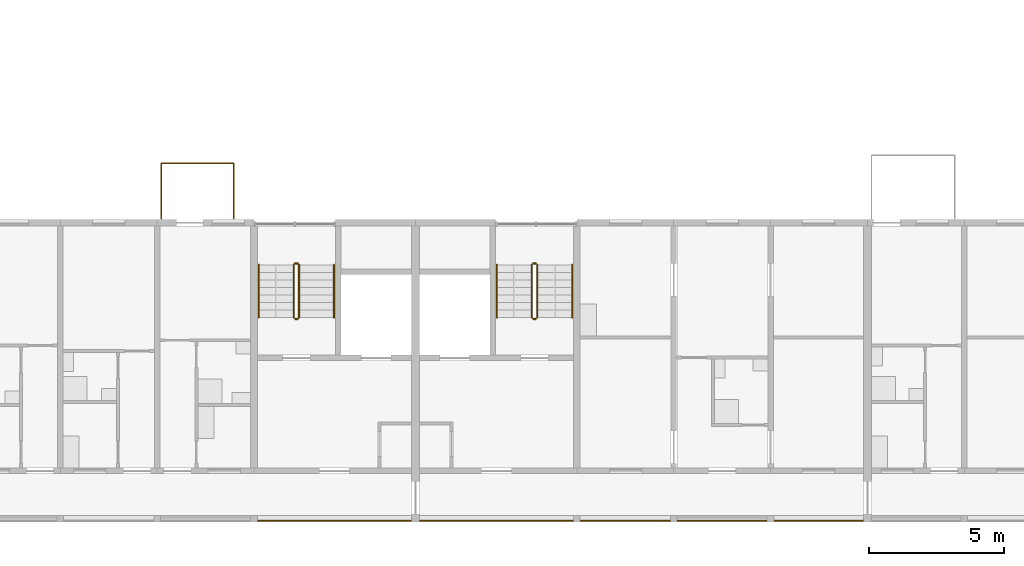
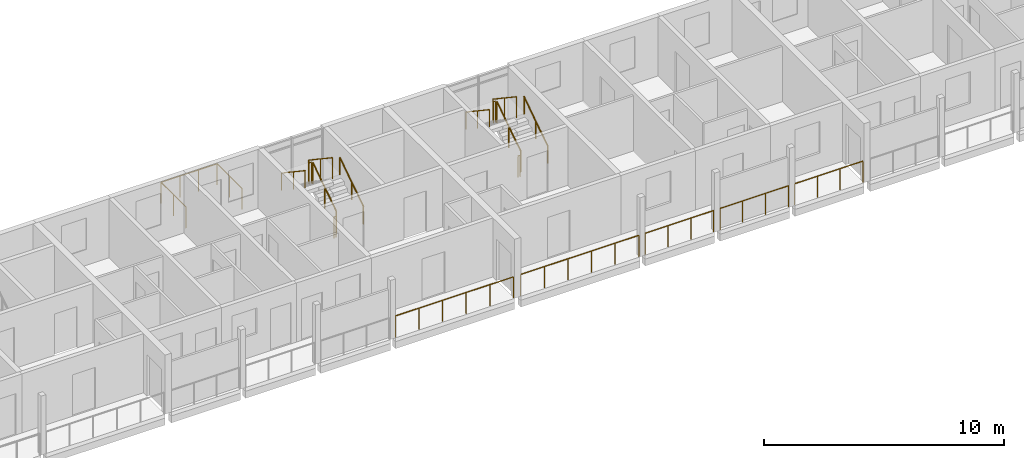
# One storey, part 73 of 94: 18 railings.
"""IFC4 building model written with IfcOpenShell, lengths in metres."""

from ifc_helpers import new_model, si_unit, direction, frame, origin, origin_2d, place, context, subcontext, project, spatial, circle, extrude, material, type_object, element, save


model = new_model("IFC4")

# Units and contexts
model_context = context("Model", 3, precision=1e-05, world=origin(), true_north=direction((0.0, 1.0)))
body_context = subcontext(model_context, "Body", "Model", "MODEL_VIEW")
ifc_project = project(units=[si_unit("LENGTHUNIT", "METRE"), si_unit("AREAUNIT", "SQUARE_METRE"), si_unit("VOLUMEUNIT", "CUBIC_METRE"), si_unit("PLANEANGLEUNIT", "RADIAN"), si_unit("MASSUNIT", "GRAM", prefix="KILO")], contexts=[model_context])

# Site, building, storey
site_placement = place(None, origin())
site = spatial("IfcSite", under=ifc_project, at=site_placement, CompositionType="ELEMENT")
building_placement = place(site_placement, origin())
building = spatial("IfcBuilding", under=site, at=building_placement, Name="Ridgestep Commons", CompositionType="ELEMENT")
storey_placement = place(building_placement, frame((0.0, 0.0, 21.0)))
storey = spatial("IfcBuildingStorey", under=building, at=storey_placement, Name="L07", CompositionType="ELEMENT", Elevation=21.0)

# Railings
ifc_material_1 = material(Name="Structural steel S355JR", Category="steel")
railing_type_1 = type_object("IfcRailingType", Name="Guard 1100", PredefinedType="GUARDRAIL", material=ifc_material_1)
railing_1_placement = place(storey_placement, frame((39.74609375, 11.800048828125, 0.0)))
element("IfcRailing", 1, at=railing_1_placement, inside=storey, type_object=railing_type_1, Name="Gallery guard A 07.8", PredefinedType="GUARDRAIL", context=body_context, shape_type="SweptSolid", body=[
    extrude(circle(Radius=0.02392578125, at=origin_2d()), frame((0.0, 0.0, 1.076171875), z_axis=(1.0, 0.0, 0.0), x_axis=(0.0, 1.0, 0.0)), (0.0, 0.0, 1.0), 5.682861328125),
    extrude(circle(Radius=0.02099609375, at=origin_2d()), origin(), (0.0, 0.0, 1.0), 1.052001953125),
    extrude(circle(Radius=0.02099609375, at=origin_2d()), frame((1.136474609375, 0.0, 0.0)), (0.0, 0.0, 1.0), 1.052001953125),
    extrude(circle(Radius=0.02099609375, at=origin_2d()), frame((2.273193359375, 0.0, 0.0)), (0.0, 0.0, 1.0), 1.052001953125),
    extrude(circle(Radius=0.02099609375, at=origin_2d()), frame((3.40966796875, 0.0, 0.0)), (0.0, 0.0, 1.0), 1.052001953125),
    extrude(circle(Radius=0.02099609375, at=origin_2d()), frame((4.54638671875, 0.0, 0.0)), (0.0, 0.0, 1.0), 1.052001953125),
    extrude(circle(Radius=0.02099609375, at=origin_2d()), frame((5.682861328125, 0.0, 0.0)), (0.0, 0.0, 1.0), 1.052001953125),
])
railing_2_placement = place(storey_placement, frame((45.77099609375, 11.800048828125, 0.0)))
element("IfcRailing", 2, at=railing_2_placement, inside=storey, type_object=railing_type_1, Name="Gallery guard A 07.9", PredefinedType="GUARDRAIL", context=body_context, shape_type="SweptSolid", body=[
    extrude(circle(Radius=0.02392578125, at=origin_2d()), frame((0.0, 0.0, 1.076171875), z_axis=(1.0, 0.0, 0.0), x_axis=(0.0, 1.0, 0.0)), (0.0, 0.0, 1.0), 5.68310546875),
    extrude(circle(Radius=0.02099609375, at=origin_2d()), origin(), (0.0, 0.0, 1.0), 1.052001953125),
    extrude(circle(Radius=0.02099609375, at=origin_2d()), frame((1.13671875, 0.0, 0.0)), (0.0, 0.0, 1.0), 1.052001953125),
    extrude(circle(Radius=0.02099609375, at=origin_2d()), frame((2.273193359375, 0.0, 0.0)), (0.0, 0.0, 1.0), 1.052001953125),
    extrude(circle(Radius=0.02099609375, at=origin_2d()), frame((3.409912109375, 0.0, 0.0)), (0.0, 0.0, 1.0), 1.052001953125),
    extrude(circle(Radius=0.02099609375, at=origin_2d()), frame((4.54638671875, 0.0, 0.0)), (0.0, 0.0, 1.0), 1.052001953125),
    extrude(circle(Radius=0.02099609375, at=origin_2d()), frame((5.68310546875, 0.0, 0.0)), (0.0, 0.0, 1.0), 1.052001953125),
])
railing_3_placement = place(storey_placement, frame((51.74609375, 11.800048828125, 0.0)))
element("IfcRailing", 3, at=railing_3_placement, inside=storey, type_object=railing_type_1, Name="Gallery guard A 07.10", PredefinedType="GUARDRAIL", context=body_context, shape_type="SweptSolid", body=[
    extrude(circle(Radius=0.02392578125, at=origin_2d()), frame((0.0, 0.0, 1.076171875), z_axis=(1.0, 0.0, 0.0), x_axis=(0.0, 1.0, 0.0)), (0.0, 0.0, 1.0), 3.307861328125),
    extrude(circle(Radius=0.02099609375, at=origin_2d()), origin(), (0.0, 0.0, 1.0), 1.052001953125),
    extrude(circle(Radius=0.02099609375, at=origin_2d()), frame((1.1025390625, 0.0, 0.0)), (0.0, 0.0, 1.0), 1.052001953125),
    extrude(circle(Radius=0.02099609375, at=origin_2d()), frame((2.205322265625, 0.0, 0.0)), (0.0, 0.0, 1.0), 1.052001953125),
    extrude(circle(Radius=0.02099609375, at=origin_2d()), frame((3.307861328125, 0.0, 0.0)), (0.0, 0.0, 1.0), 1.052001953125),
])
railing_4_placement = place(storey_placement, frame((55.345947265625, 11.800048828125, 0.0)))
element("IfcRailing", 4, at=railing_4_placement, inside=storey, type_object=railing_type_1, Name="Gallery guard A 07.11", PredefinedType="GUARDRAIL", context=body_context, shape_type="SweptSolid", body=[
    extrude(circle(Radius=0.02392578125, at=origin_2d()), frame((0.0, 0.0, 1.076171875), z_axis=(1.0, 0.0, 0.0), x_axis=(0.0, 1.0, 0.0)), (0.0, 0.0, 1.0), 3.30810546875),
    extrude(circle(Radius=0.02099609375, at=origin_2d()), origin(), (0.0, 0.0, 1.0), 1.052001953125),
    extrude(circle(Radius=0.02099609375, at=origin_2d()), frame((1.102783203125, 0.0, 0.0)), (0.0, 0.0, 1.0), 1.052001953125),
    extrude(circle(Radius=0.02099609375, at=origin_2d()), frame((2.205322265625, 0.0, 0.0)), (0.0, 0.0, 1.0), 1.052001953125),
    extrude(circle(Radius=0.02099609375, at=origin_2d()), frame((3.30810546875, 0.0, 0.0)), (0.0, 0.0, 1.0), 1.052001953125),
])
railing_5_placement = place(storey_placement, frame((58.946044921875, 11.800048828125, 0.0)))
element("IfcRailing", 5, at=railing_5_placement, inside=storey, type_object=railing_type_1, Name="Gallery guard A 07.12", PredefinedType="GUARDRAIL", context=body_context, shape_type="SweptSolid", body=[
    extrude(circle(Radius=0.02392578125, at=origin_2d()), frame((0.0, 0.0, 1.076171875), z_axis=(1.0, 0.0, 0.0), x_axis=(0.0, 1.0, 0.0)), (0.0, 0.0, 1.0), 3.282958984375),
    extrude(circle(Radius=0.02099609375, at=origin_2d()), origin(), (0.0, 0.0, 1.0), 1.052001953125),
    extrude(circle(Radius=0.02099609375, at=origin_2d()), frame((1.09423828125, 0.0, 0.0)), (0.0, 0.0, 1.0), 1.052001953125),
    extrude(circle(Radius=0.02099609375, at=origin_2d()), frame((2.188720703125, 0.0, 0.0)), (0.0, 0.0, 1.0), 1.052001953125),
    extrude(circle(Radius=0.02099609375, at=origin_2d()), frame((3.282958984375, 0.0, 0.0)), (0.0, 0.0, 1.0), 1.052001953125),
])
ifc_material_2 = material(Name="Structural steel S355JR", Category="steel")
railing_type_2 = type_object("IfcRailingType", Name="Stair guard 1100", PredefinedType="GUARDRAIL", material=ifc_material_2)
railing_6_placement = place(storey_placement, frame((41.27490234375, 19.35009765625, 0.1875)))
element("IfcRailing", 6, at=railing_6_placement, inside=storey, type_object=railing_type_2, Name="L07 A2C stair guard 1", PredefinedType="GUARDRAIL", context=body_context, shape_type="SweptSolid", body=[
    extrude(circle(Radius=0.02392578125, at=origin_2d()), frame((0.0, 0.0, 1.076171875), z_axis=(0.0, 0.830902050051, 0.556418712142), x_axis=(-1.0, 0.0, 0.0)), (0.0, 0.0, 1.0), 2.35888671875),
    extrude(circle(Radius=0.02099609375, at=origin_2d()), origin(), (0.0, 0.0, 1.0), 1.052001953125),
    extrude(circle(Radius=0.02099609375, at=origin_2d()), frame((0.0, 0.97998046875, 0.65625)), (0.0, 0.0, 1.0), 1.052001953125),
    extrude(circle(Radius=0.02099609375, at=origin_2d()), frame((0.0, 1.9599609375, 1.3125)), (0.0, 0.0, 1.0), 1.052001953125),
])
railing_7_placement = place(storey_placement, frame((41.22509765625, 21.360107421875, 1.5)))
element("IfcRailing", 7, at=railing_7_placement, inside=storey, type_object=railing_type_2, Name="L07 A2C stair guard 2", PredefinedType="GUARDRAIL", context=body_context, shape_type="SweptSolid", body=[
    extrude(circle(Radius=0.02392578125, at=origin_2d()), frame((0.0, 0.0, 1.076171875), z_axis=(-1.0, 0.0, 0.0), x_axis=(0.0, -1.0, 0.0)), (0.0, 0.0, 1.0), 0.10009765625),
    extrude(circle(Radius=0.02099609375, at=origin_2d()), origin(), (0.0, 0.0, 1.0), 1.052001953125),
    extrude(circle(Radius=0.02099609375, at=origin_2d()), frame((-0.10009765625, 0.0, 0.0)), (0.0, 0.0, 1.0), 1.052001953125),
])
railing_8_placement = place(storey_placement, frame((41.074951171875, 21.31005859375, 1.6875)))
element("IfcRailing", 8, at=railing_8_placement, inside=storey, type_object=railing_type_2, Name="L07 A2C stair guard 3", PredefinedType="GUARDRAIL", context=body_context, shape_type="SweptSolid", body=[
    extrude(circle(Radius=0.02392578125, at=origin_2d()), frame((0.0, 0.0, 1.076171875), z_axis=(0.0, -0.830902050051, 0.556418712142), x_axis=(1.0, 0.0, 0.0)), (0.0, 0.0, 1.0), 2.35888671875),
    extrude(circle(Radius=0.02099609375, at=origin_2d()), origin(), (0.0, 0.0, 1.0), 1.052001953125),
    extrude(circle(Radius=0.02099609375, at=origin_2d()), frame((0.0, -0.97998046875, 0.65625)), (0.0, 0.0, 1.0), 1.052001953125),
    extrude(circle(Radius=0.02099609375, at=origin_2d()), frame((0.0, -1.9599609375, 1.3125)), (0.0, 0.0, 1.0), 1.052001953125),
])
railing_9_placement = place(storey_placement, frame((41.22509765625, 19.300048828125, 0.0)))
element("IfcRailing", 9, at=railing_9_placement, inside=storey, type_object=railing_type_2, Name="L07 A2C stair guard 4", PredefinedType="GUARDRAIL", context=body_context, shape_type="SweptSolid", body=[
    extrude(circle(Radius=0.02392578125, at=origin_2d()), frame((0.0, 0.0, 1.076171875), z_axis=(-1.0, 0.0, 0.0), x_axis=(0.0, -1.0, 0.0)), (0.0, 0.0, 1.0), 0.10009765625),
    extrude(circle(Radius=0.02099609375, at=origin_2d()), origin(), (0.0, 0.0, 1.0), 1.052001953125),
    extrude(circle(Radius=0.02099609375, at=origin_2d()), frame((-0.10009765625, 0.0, 0.0)), (0.0, 0.0, 1.0), 1.052001953125),
])
railing_10_placement = place(storey_placement, frame((50.125, 19.35009765625, 0.1875)))
element("IfcRailing", 10, at=railing_10_placement, inside=storey, type_object=railing_type_2, Name="L07 A3C stair guard 1", PredefinedType="GUARDRAIL", context=body_context, shape_type="SweptSolid", body=[
    extrude(circle(Radius=0.02392578125, at=origin_2d()), frame((0.0, 0.0, 1.076171875), z_axis=(0.0, 0.830902050051, 0.556418712142), x_axis=(-1.0, 0.0, 0.0)), (0.0, 0.0, 1.0), 2.35888671875),
    extrude(circle(Radius=0.02099609375, at=origin_2d()), origin(), (0.0, 0.0, 1.0), 1.052001953125),
    extrude(circle(Radius=0.02099609375, at=origin_2d()), frame((0.0, 0.97998046875, 0.65625)), (0.0, 0.0, 1.0), 1.052001953125),
    extrude(circle(Radius=0.02099609375, at=origin_2d()), frame((0.0, 1.9599609375, 1.3125)), (0.0, 0.0, 1.0), 1.052001953125),
])
railing_11_placement = place(storey_placement, frame((50.074951171875, 21.360107421875, 1.5)))
element("IfcRailing", 11, at=railing_11_placement, inside=storey, type_object=railing_type_2, Name="L07 A3C stair guard 2", PredefinedType="GUARDRAIL", context=body_context, shape_type="SweptSolid", body=[
    extrude(circle(Radius=0.02392578125, at=origin_2d()), frame((0.0, 0.0, 1.076171875), z_axis=(-1.0, 0.0, 0.0), x_axis=(0.0, -1.0, 0.0)), (0.0, 0.0, 1.0), 0.099853515625),
    extrude(circle(Radius=0.02099609375, at=origin_2d()), origin(), (0.0, 0.0, 1.0), 1.052001953125),
    extrude(circle(Radius=0.02099609375, at=origin_2d()), frame((-0.099853515625, 0.0, 0.0)), (0.0, 0.0, 1.0), 1.052001953125),
])
railing_12_placement = place(storey_placement, frame((49.925048828125, 21.31005859375, 1.6875)))
element("IfcRailing", 12, at=railing_12_placement, inside=storey, type_object=railing_type_2, Name="L07 A3C stair guard 3", PredefinedType="GUARDRAIL", context=body_context, shape_type="SweptSolid", body=[
    extrude(circle(Radius=0.02392578125, at=origin_2d()), frame((0.0, 0.0, 1.076171875), z_axis=(0.0, -0.830902050051, 0.556418712142), x_axis=(1.0, 0.0, 0.0)), (0.0, 0.0, 1.0), 2.35888671875),
    extrude(circle(Radius=0.02099609375, at=origin_2d()), origin(), (0.0, 0.0, 1.0), 1.052001953125),
    extrude(circle(Radius=0.02099609375, at=origin_2d()), frame((0.0, -0.97998046875, 0.65625)), (0.0, 0.0, 1.0), 1.052001953125),
    extrude(circle(Radius=0.02099609375, at=origin_2d()), frame((0.0, -1.9599609375, 1.3125)), (0.0, 0.0, 1.0), 1.052001953125),
])
railing_13_placement = place(storey_placement, frame((50.074951171875, 19.300048828125, 0.0)))
element("IfcRailing", 13, at=railing_13_placement, inside=storey, type_object=railing_type_2, Name="L07 A3C stair guard 4", PredefinedType="GUARDRAIL", context=body_context, shape_type="SweptSolid", body=[
    extrude(circle(Radius=0.02392578125, at=origin_2d()), frame((0.0, 0.0, 1.076171875), z_axis=(-1.0, 0.0, 0.0), x_axis=(0.0, -1.0, 0.0)), (0.0, 0.0, 1.0), 0.099853515625),
    extrude(circle(Radius=0.02099609375, at=origin_2d()), origin(), (0.0, 0.0, 1.0), 1.052001953125),
    extrude(circle(Radius=0.02099609375, at=origin_2d()), frame((-0.099853515625, 0.0, 0.0)), (0.0, 0.0, 1.0), 1.052001953125),
])
ifc_material_3 = material(Name="Structural steel S355JR", Category="steel")
railing_type_3 = type_object("IfcRailingType", Name="Stair handrail 900", PredefinedType="HANDRAIL", material=ifc_material_3)
railing_14_placement = place(storey_placement, frame((42.574951171875, 19.35009765625, 0.1875)))
element("IfcRailing", 14, at=railing_14_placement, inside=storey, type_object=railing_type_3, Name="L07 A2C stair handrail 1", PredefinedType="HANDRAIL", context=body_context, shape_type="SweptSolid", body=[
    extrude(circle(Radius=0.02392578125, at=origin_2d()), frame((0.0, 0.0, 0.8759765625), z_axis=(0.0, 0.830902050051, 0.556418712142), x_axis=(-1.0, 0.0, 0.0)), (0.0, 0.0, 1.0), 2.35888671875),
    extrude(circle(Radius=0.02099609375, at=origin_2d()), origin(), (0.0, 0.0, 1.0), 0.851806640625),
    extrude(circle(Radius=0.02099609375, at=origin_2d()), frame((0.0, 0.97998046875, 0.65625)), (0.0, 0.0, 1.0), 0.851806640625),
    extrude(circle(Radius=0.02099609375, at=origin_2d()), frame((0.0, 1.9599609375, 1.3125)), (0.0, 0.0, 1.0), 0.851806640625),
])
railing_15_placement = place(storey_placement, frame((39.77490234375, 21.31005859375, 1.6875)))
element("IfcRailing", 15, at=railing_15_placement, inside=storey, type_object=railing_type_3, Name="L07 A2C stair handrail 2", PredefinedType="HANDRAIL", context=body_context, shape_type="SweptSolid", body=[
    extrude(circle(Radius=0.02392578125, at=origin_2d()), frame((0.0, 0.0, 0.8759765625), z_axis=(0.0, -0.830902050051, 0.556418712142), x_axis=(1.0, 0.0, 0.0)), (0.0, 0.0, 1.0), 2.35888671875),
    extrude(circle(Radius=0.02099609375, at=origin_2d()), origin(), (0.0, 0.0, 1.0), 0.851806640625),
    extrude(circle(Radius=0.02099609375, at=origin_2d()), frame((0.0, -0.97998046875, 0.65625)), (0.0, 0.0, 1.0), 0.851806640625),
    extrude(circle(Radius=0.02099609375, at=origin_2d()), frame((0.0, -1.9599609375, 1.3125)), (0.0, 0.0, 1.0), 0.851806640625),
])
railing_16_placement = place(storey_placement, frame((51.425048828125, 19.35009765625, 0.1875)))
element("IfcRailing", 16, at=railing_16_placement, inside=storey, type_object=railing_type_3, Name="L07 A3C stair handrail 1", PredefinedType="HANDRAIL", context=body_context, shape_type="SweptSolid", body=[
    extrude(circle(Radius=0.02392578125, at=origin_2d()), frame((0.0, 0.0, 0.8759765625), z_axis=(0.0, 0.830902050051, 0.556418712142), x_axis=(-1.0, 0.0, 0.0)), (0.0, 0.0, 1.0), 2.35888671875),
    extrude(circle(Radius=0.02099609375, at=origin_2d()), origin(), (0.0, 0.0, 1.0), 0.851806640625),
    extrude(circle(Radius=0.02099609375, at=origin_2d()), frame((0.0, 0.97998046875, 0.65625)), (0.0, 0.0, 1.0), 0.851806640625),
    extrude(circle(Radius=0.02099609375, at=origin_2d()), frame((0.0, 1.9599609375, 1.3125)), (0.0, 0.0, 1.0), 0.851806640625),
])
railing_17_placement = place(storey_placement, frame((48.625, 21.31005859375, 1.6875)))
element("IfcRailing", 17, at=railing_17_placement, inside=storey, type_object=railing_type_3, Name="L07 A3C stair handrail 2", PredefinedType="HANDRAIL", context=body_context, shape_type="SweptSolid", body=[
    extrude(circle(Radius=0.02392578125, at=origin_2d()), frame((0.0, 0.0, 0.8759765625), z_axis=(0.0, -0.830902050051, 0.556418712142), x_axis=(1.0, 0.0, 0.0)), (0.0, 0.0, 1.0), 2.35888671875),
    extrude(circle(Radius=0.02099609375, at=origin_2d()), origin(), (0.0, 0.0, 1.0), 0.851806640625),
    extrude(circle(Radius=0.02099609375, at=origin_2d()), frame((0.0, -0.97998046875, 0.65625)), (0.0, 0.0, 1.0), 0.851806640625),
    extrude(circle(Radius=0.02099609375, at=origin_2d()), frame((0.0, -1.9599609375, 1.3125)), (0.0, 0.0, 1.0), 0.851806640625),
])
ifc_material_4 = material(Name="Weathering steel S355J2W", Category="steel")
railing_type_4 = type_object("IfcRailingType", Name="Tray guard 1100", PredefinedType="GUARDRAIL", material=ifc_material_4)
railing_18_placement = place(storey_placement, frame((36.15087890625, 23.02099609375, 0.0)))
element("IfcRailing", 18, at=railing_18_placement, inside=storey, type_object=railing_type_4, Name="Tray guard A2T3-07", PredefinedType="GUARDRAIL", context=body_context, shape_type="SweptSolid", body=[
    extrude(circle(Radius=0.02392578125, at=origin_2d()), frame((0.0, 0.0, 1.076171875), z_axis=(0.0, 1.0, 0.0), x_axis=(-1.0, 0.0, 0.0)), (0.0, 0.0, 1.0), 2.05810546875),
    extrude(circle(Radius=0.02392578125, at=origin_2d()), frame((0.0, 2.05810546875, 1.076171875), z_axis=(1.0, 0.0, 0.0), x_axis=(0.0, 1.0, 0.0)), (0.0, 0.0, 1.0), 2.6982421875),
    extrude(circle(Radius=0.02392578125, at=origin_2d()), frame((2.6982421875, 2.05810546875, 1.076171875), z_axis=(0.0, -1.0, 0.0), x_axis=(1.0, 0.0, 0.0)), (0.0, 0.0, 1.0), 2.05810546875),
    extrude(circle(Radius=0.02099609375, at=origin_2d()), origin(), (0.0, 0.0, 1.0), 1.052001953125),
    extrude(circle(Radius=0.02099609375, at=origin_2d()), frame((0.0, 1.029052734375, 0.0)), (0.0, 0.0, 1.0), 1.052001953125),
    extrude(circle(Radius=0.02099609375, at=origin_2d()), frame((0.0, 2.05810546875, 0.0)), (0.0, 0.0, 1.0), 1.052001953125),
    extrude(circle(Radius=0.02099609375, at=origin_2d()), frame((0.8994140625, 2.05810546875, 0.0)), (0.0, 0.0, 1.0), 1.052001953125),
    extrude(circle(Radius=0.02099609375, at=origin_2d()), frame((1.798828125, 2.05810546875, 0.0)), (0.0, 0.0, 1.0), 1.052001953125),
    extrude(circle(Radius=0.02099609375, at=origin_2d()), frame((2.6982421875, 2.05810546875, 0.0)), (0.0, 0.0, 1.0), 1.052001953125),
    extrude(circle(Radius=0.02099609375, at=origin_2d()), frame((2.6982421875, 1.029052734375, 0.0)), (0.0, 0.0, 1.0), 1.052001953125),
    extrude(circle(Radius=0.02099609375, at=origin_2d()), frame((2.6982421875, 0.0, 0.0)), (0.0, 0.0, 1.0), 1.052001953125),
])

save(model, "model.ifc")
